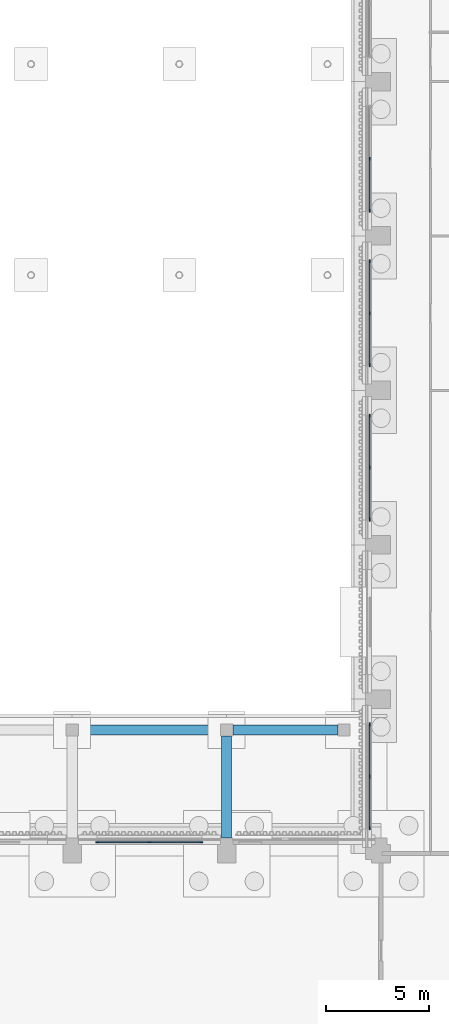
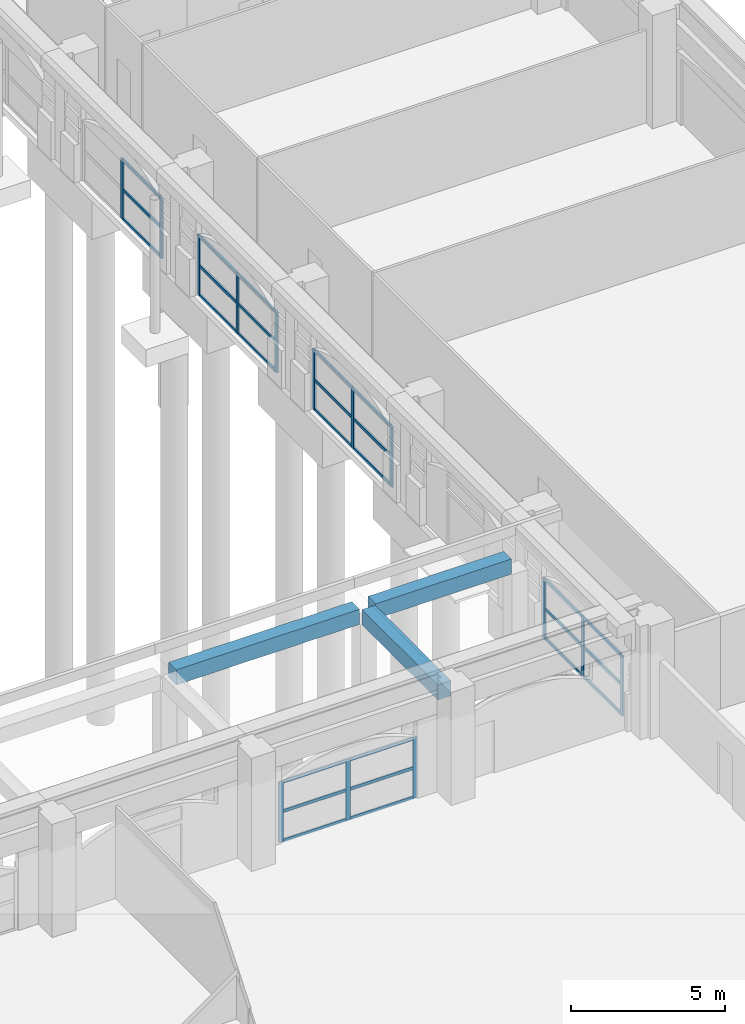
# One storey, part 27 of 99: 41 members, 3 beams, 5 elements without a shape of their own.
"""IFC4 building model written with IfcOpenShell, lengths in metres."""

from ifc_helpers import new_model, si_unit, direction, frame, origin, origin_2d, place, context, subcontext, project, spatial, rectangle, extrude, material, layer, layer_set, material_profile, profile_set, type_object, element, aggregate, save


model = new_model("IFC4")

# Units and contexts
model_context = context("Model", 3, precision=1e-05, world=origin(), true_north=direction((0.0, 1.0)))
body_context = subcontext(model_context, "Body", "Model", "MODEL_VIEW")
ifc_project = project(units=[si_unit("LENGTHUNIT", "METRE"), si_unit("AREAUNIT", "SQUARE_METRE"), si_unit("VOLUMEUNIT", "CUBIC_METRE"), si_unit("PLANEANGLEUNIT", "RADIAN"), si_unit("MASSUNIT", "GRAM", prefix="KILO")], contexts=[model_context])

# Site, building, storey
site_placement = place(None, origin())
site = spatial("IfcSite", under=ifc_project, at=site_placement, CompositionType="ELEMENT")
building_placement = place(site_placement, origin())
building = spatial("IfcBuilding", under=site, at=building_placement, Name="Cour d'Honneur Mobility Palace", CompositionType="ELEMENT")
storey_placement = place(building_placement, origin())
storey = spatial("IfcBuildingStorey", under=building, at=storey_placement, Name="L00", CompositionType="ELEMENT", Elevation=0.0)

# Beams
ifc_material_1 = material(Name="Concrete C50", Category="concrete")
ifc_material_profile_1 = material_profile(ifc_material_1, rectangle(XDim=0.5, YDim=0.60009765625, at=origin_2d()), Name="Arcade beam 500x600")
ifc_profile_set_1 = profile_set([ifc_material_profile_1], Name="Concrete C50")
beam_type = type_object("IfcBeamType", Name="Arcade beam 500x600", PredefinedType="BEAM", material=ifc_profile_set_1)
beam_1_placement = place(storey_placement, frame((130.199951171875, 68.39990234375, 3.699951171875), z_axis=(1.0, 0.0, 0.0), x_axis=(0.0, 1.0, 0.0)))
element("IfcBeam", 1, at=beam_1_placement, inside=storey, type_object=beam_type, Name="Arcade beam AB-LE5", PredefinedType="BEAM", context=body_context, shape_type="SweptSolid", body=[
    extrude(rectangle(XDim=0.5, YDim=0.60009765625, at=origin_2d()), origin(), (0.0, 0.0, 1.0), 6.900146484375),
])
beam_2_placement = place(storey_placement, frame((137.699951171875, 68.39990234375, 3.699951171875), z_axis=(1.0, 0.0, 0.0), x_axis=(0.0, 1.0, 0.0)))
element("IfcBeam", 2, at=beam_2_placement, inside=storey, type_object=beam_type, Name="Arcade beam AB-LE6", PredefinedType="BEAM", context=body_context, shape_type="SweptSolid", body=[
    extrude(rectangle(XDim=0.5, YDim=0.60009765625, at=origin_2d()), origin(), (0.0, 0.0, 1.0), 5.10009765625),
])
beam_3_placement = place(storey_placement, frame((137.39990234375, 63.14990234375, 3.699951171875), z_axis=(0.0, 1.0, 0.0), x_axis=(-1.0, 0.0, 0.0)))
element("IfcBeam", 3, at=beam_3_placement, inside=storey, type_object=beam_type, Name="Arcade beam AB-TE6", PredefinedType="BEAM", context=body_context, shape_type="SweptSolid", body=[
    extrude(rectangle(XDim=0.5, YDim=0.60009765625, at=origin_2d()), origin(), (0.0, 0.0, 1.0), 4.9501953125),
])

# Curtain wall, members
ifc_material_2 = material(Name="Aluminium and glass", Category="aluminium")
ifc_layer = layer(ifc_material_2, 0.10009765625)
ifc_layer_set = layer_set([ifc_layer], Name="Aluminium and glass")
curtain_wall_type = type_object("IfcCurtainWallType", Name="Curtain wall run", PredefinedType="NOTDEFINED", material=ifc_layer_set)
curtain_wall_1_placement = place(storey_placement, origin())
curtain_wall_1 = element("IfcCurtainWall", 4, at=curtain_wall_1_placement, inside=storey, type_object=curtain_wall_type, Name="Curtain wall CW-3", PredefinedType="NOTDEFINED")
ifc_material_3 = material(Name="Aluminium", Category="aluminium")
ifc_material_profile_2 = material_profile(ifc_material_3, rectangle(XDim=0.06005859375, YDim=0.159912109375, at=origin_2d()), Name="Curtain wall mullion")
ifc_profile_set_2 = profile_set([ifc_material_profile_2], Name="Aluminium")
member_type_1 = type_object("IfcMemberType", Name="Curtain wall mullion", PredefinedType="MULLION", material=ifc_profile_set_2)
member_1_placement = place(storey_placement, frame((144.35009765625, 96.14990234375, 0.0), z_axis=(0.0, 0.0, 1.0), x_axis=(1.0, 0.0, 0.0)))
member_1 = element("IfcMember", 5, at=member_1_placement, type_object=member_type_1, Name="CW-3 mullion 2", PredefinedType="MULLION", context=body_context, shape_type="SweptSolid", body=[
    extrude(rectangle(XDim=0.06005859375, YDim=0.159912109375, at=origin_2d()), origin(), (0.0, 0.0, 1.0), 2.39990234375),
])
member_2_placement = place(storey_placement, frame((144.35009765625, 93.6298828125, 0.0), z_axis=(0.0, 0.0, 1.0), x_axis=(1.0, 0.0, 0.0)))
member_2 = element("IfcMember", 6, at=member_2_placement, type_object=member_type_1, Name="CW-3 mullion 3", PredefinedType="MULLION", context=body_context, shape_type="SweptSolid", body=[
    extrude(rectangle(XDim=0.06005859375, YDim=0.159912109375, at=origin_2d()), origin(), (0.0, 0.0, 1.0), 2.39990234375),
])

curtain_wall_2_placement = place(storey_placement, origin())
curtain_wall_2 = element("IfcCurtainWall", 7, at=curtain_wall_2_placement, inside=storey, type_object=curtain_wall_type, Name="Curtain wall CW-4", PredefinedType="NOTDEFINED")
member_3_placement = place(storey_placement, frame((144.35009765625, 91.169921875, 0.0), z_axis=(0.0, 0.0, 1.0), x_axis=(1.0, 0.0, 0.0)))
member_3 = element("IfcMember", 8, at=member_3_placement, type_object=member_type_1, Name="CW-4 mullion 1", PredefinedType="MULLION", context=body_context, shape_type="SweptSolid", body=[
    extrude(rectangle(XDim=0.06005859375, YDim=0.159912109375, at=origin_2d()), origin(), (0.0, 0.0, 1.0), 2.39990234375),
])
member_4_placement = place(storey_placement, frame((144.35009765625, 88.64990234375, 0.0), z_axis=(0.0, 0.0, 1.0), x_axis=(1.0, 0.0, 0.0)))
member_4 = element("IfcMember", 9, at=member_4_placement, type_object=member_type_1, Name="CW-4 mullion 2", PredefinedType="MULLION", context=body_context, shape_type="SweptSolid", body=[
    extrude(rectangle(XDim=0.06005859375, YDim=0.159912109375, at=origin_2d()), origin(), (0.0, 0.0, 1.0), 2.39990234375),
])
member_5_placement = place(storey_placement, frame((144.35009765625, 86.1298828125, 0.0), z_axis=(0.0, 0.0, 1.0), x_axis=(1.0, 0.0, 0.0)))
member_5 = element("IfcMember", 10, at=member_5_placement, type_object=member_type_1, Name="CW-4 mullion 3", PredefinedType="MULLION", context=body_context, shape_type="SweptSolid", body=[
    extrude(rectangle(XDim=0.06005859375, YDim=0.159912109375, at=origin_2d()), origin(), (0.0, 0.0, 1.0), 2.39990234375),
])

curtain_wall_3_placement = place(storey_placement, origin())
curtain_wall_3 = element("IfcCurtainWall", 11, at=curtain_wall_3_placement, inside=storey, type_object=curtain_wall_type, Name="Curtain wall CW-5", PredefinedType="NOTDEFINED")
member_6_placement = place(storey_placement, frame((144.35009765625, 83.669921875, 0.0), z_axis=(0.0, 0.0, 1.0), x_axis=(1.0, 0.0, 0.0)))
member_6 = element("IfcMember", 12, at=member_6_placement, type_object=member_type_1, Name="CW-5 mullion 1", PredefinedType="MULLION", context=body_context, shape_type="SweptSolid", body=[
    extrude(rectangle(XDim=0.06005859375, YDim=0.159912109375, at=origin_2d()), origin(), (0.0, 0.0, 1.0), 2.39990234375),
])
member_7_placement = place(storey_placement, frame((144.35009765625, 81.14990234375, 0.0), z_axis=(0.0, 0.0, 1.0), x_axis=(1.0, 0.0, 0.0)))
member_7 = element("IfcMember", 13, at=member_7_placement, type_object=member_type_1, Name="CW-5 mullion 2", PredefinedType="MULLION", context=body_context, shape_type="SweptSolid", body=[
    extrude(rectangle(XDim=0.06005859375, YDim=0.159912109375, at=origin_2d()), origin(), (0.0, 0.0, 1.0), 2.39990234375),
])
member_8_placement = place(storey_placement, frame((144.35009765625, 78.6298828125, 0.0), z_axis=(0.0, 0.0, 1.0), x_axis=(1.0, 0.0, 0.0)))
member_8 = element("IfcMember", 14, at=member_8_placement, type_object=member_type_1, Name="CW-5 mullion 3", PredefinedType="MULLION", context=body_context, shape_type="SweptSolid", body=[
    extrude(rectangle(XDim=0.06005859375, YDim=0.159912109375, at=origin_2d()), origin(), (0.0, 0.0, 1.0), 2.39990234375),
])

curtain_wall_4_placement = place(storey_placement, origin())
curtain_wall_4 = element("IfcCurtainWall", 15, at=curtain_wall_4_placement, inside=storey, type_object=curtain_wall_type, Name="Curtain wall CW-6", PredefinedType="NOTDEFINED")
member_9_placement = place(storey_placement, frame((144.35009765625, 68.669921875, 0.0), z_axis=(0.0, 0.0, 1.0), x_axis=(1.0, 0.0, 0.0)))
member_9 = element("IfcMember", 16, at=member_9_placement, type_object=member_type_1, Name="CW-6 mullion 1", PredefinedType="MULLION", context=body_context, shape_type="SweptSolid", body=[
    extrude(rectangle(XDim=0.06005859375, YDim=0.159912109375, at=origin_2d()), origin(), (0.0, 0.0, 1.0), 2.39990234375),
])
member_10_placement = place(storey_placement, frame((144.35009765625, 66.14990234375, 0.0), z_axis=(0.0, 0.0, 1.0), x_axis=(1.0, 0.0, 0.0)))
member_10 = element("IfcMember", 17, at=member_10_placement, type_object=member_type_1, Name="CW-6 mullion 2", PredefinedType="MULLION", context=body_context, shape_type="SweptSolid", body=[
    extrude(rectangle(XDim=0.06005859375, YDim=0.159912109375, at=origin_2d()), origin(), (0.0, 0.0, 1.0), 2.39990234375),
])
member_11_placement = place(storey_placement, frame((144.35009765625, 63.6298828125, 0.0), z_axis=(0.0, 0.0, 1.0), x_axis=(1.0, 0.0, 0.0)))
member_11 = element("IfcMember", 18, at=member_11_placement, type_object=member_type_1, Name="CW-6 mullion 3", PredefinedType="MULLION", context=body_context, shape_type="SweptSolid", body=[
    extrude(rectangle(XDim=0.06005859375, YDim=0.159912109375, at=origin_2d()), origin(), (0.0, 0.0, 1.0), 2.39990234375),
])

curtain_wall_5_placement = place(storey_placement, origin())
curtain_wall_5 = element("IfcCurtainWall", 19, at=curtain_wall_5_placement, inside=storey, type_object=curtain_wall_type, Name="Curtain wall CW-7", PredefinedType="NOTDEFINED")
member_12_placement = place(storey_placement, frame((136.169921875, 62.949951171875, 0.0), z_axis=(0.0, 0.0, 1.0), x_axis=(0.0, -1.0, 0.0)))
member_12 = element("IfcMember", 20, at=member_12_placement, type_object=member_type_1, Name="CW-7 mullion 1", PredefinedType="MULLION", context=body_context, shape_type="SweptSolid", body=[
    extrude(rectangle(XDim=0.06005859375, YDim=0.159912109375, at=origin_2d()), origin(), (0.0, 0.0, 1.0), 2.39990234375),
])
member_13_placement = place(storey_placement, frame((133.64990234375, 62.949951171875, 0.0), z_axis=(0.0, 0.0, 1.0), x_axis=(0.0, -1.0, 0.0)))
member_13 = element("IfcMember", 21, at=member_13_placement, type_object=member_type_1, Name="CW-7 mullion 2", PredefinedType="MULLION", context=body_context, shape_type="SweptSolid", body=[
    extrude(rectangle(XDim=0.06005859375, YDim=0.159912109375, at=origin_2d()), origin(), (0.0, 0.0, 1.0), 2.39990234375),
])
member_14_placement = place(storey_placement, frame((131.1298828125, 62.949951171875, 0.0), z_axis=(0.0, 0.0, 1.0), x_axis=(0.0, -1.0, 0.0)))
member_14 = element("IfcMember", 22, at=member_14_placement, type_object=member_type_1, Name="CW-7 mullion 3", PredefinedType="MULLION", context=body_context, shape_type="SweptSolid", body=[
    extrude(rectangle(XDim=0.06005859375, YDim=0.159912109375, at=origin_2d()), origin(), (0.0, 0.0, 1.0), 2.39990234375),
])

# Member
ifc_material_4 = material(Name="Aluminium", Category="aluminium")
ifc_material_profile_3 = material_profile(ifc_material_4, rectangle(XDim=0.06005859375, YDim=0.1201171875, at=origin_2d()), Name="Curtain wall transom")
ifc_profile_set_3 = profile_set([ifc_material_profile_3], Name="Aluminium")
member_type_2 = type_object("IfcMemberType", Name="Curtain wall transom", PredefinedType="USERDEFINED", material=ifc_profile_set_3)
member_15_placement = place(storey_placement, frame((144.35009765625, 96.1201171875, 0.030029296875), z_axis=(0.0, -1.0, 0.0), x_axis=(1.0, 0.0, 0.0)))
member_15 = element("IfcMember", 23, at=member_15_placement, type_object=member_type_2, Name="CW-3 transom 2.1", ObjectType="TRANSOM", PredefinedType="USERDEFINED", context=body_context, shape_type="SweptSolid", body=[
    extrude(rectangle(XDim=0.06005859375, YDim=0.1201171875, at=origin_2d()), origin(), (0.0, 0.0, 1.0), 2.460205078125),
])

member_16_placement = place(storey_placement, frame((144.35009765625, 96.1201171875, 1.199951171875), z_axis=(0.0, -1.0, 0.0), x_axis=(1.0, 0.0, 0.0)))
member_16 = element("IfcMember", 24, at=member_16_placement, type_object=member_type_2, Name="CW-3 transom 2.2", ObjectType="TRANSOM", PredefinedType="USERDEFINED", context=body_context, shape_type="SweptSolid", body=[
    extrude(rectangle(XDim=0.06005859375, YDim=0.1201171875, at=origin_2d()), origin(), (0.0, 0.0, 1.0), 2.460205078125),
])

member_17_placement = place(storey_placement, frame((144.35009765625, 96.1201171875, 2.3701171875), z_axis=(0.0, -1.0, 0.0), x_axis=(1.0, 0.0, 0.0)))
member_17 = element("IfcMember", 25, at=member_17_placement, type_object=member_type_2, Name="CW-3 transom 2.3", ObjectType="TRANSOM", PredefinedType="USERDEFINED", context=body_context, shape_type="SweptSolid", body=[
    extrude(rectangle(XDim=0.06005859375, YDim=0.1201171875, at=origin_2d()), origin(), (0.0, 0.0, 1.0), 2.460205078125),
])

aggregate(curtain_wall_1, [member_1, member_2, member_15, member_16, member_17])

member_18_placement = place(storey_placement, frame((144.35009765625, 91.139892578125, 0.030029296875), z_axis=(0.0, -1.0, 0.0), x_axis=(1.0, 0.0, 0.0)))
member_18 = element("IfcMember", 26, at=member_18_placement, type_object=member_type_2, Name="CW-4 transom 1.1", ObjectType="TRANSOM", PredefinedType="USERDEFINED", context=body_context, shape_type="SweptSolid", body=[
    extrude(rectangle(XDim=0.06005859375, YDim=0.1201171875, at=origin_2d()), origin(), (0.0, 0.0, 1.0), 2.4599609375),
])

member_19_placement = place(storey_placement, frame((144.35009765625, 91.139892578125, 1.199951171875), z_axis=(0.0, -1.0, 0.0), x_axis=(1.0, 0.0, 0.0)))
member_19 = element("IfcMember", 27, at=member_19_placement, type_object=member_type_2, Name="CW-4 transom 1.2", ObjectType="TRANSOM", PredefinedType="USERDEFINED", context=body_context, shape_type="SweptSolid", body=[
    extrude(rectangle(XDim=0.06005859375, YDim=0.1201171875, at=origin_2d()), origin(), (0.0, 0.0, 1.0), 2.4599609375),
])

member_20_placement = place(storey_placement, frame((144.35009765625, 91.139892578125, 2.3701171875), z_axis=(0.0, -1.0, 0.0), x_axis=(1.0, 0.0, 0.0)))
member_20 = element("IfcMember", 28, at=member_20_placement, type_object=member_type_2, Name="CW-4 transom 1.3", ObjectType="TRANSOM", PredefinedType="USERDEFINED", context=body_context, shape_type="SweptSolid", body=[
    extrude(rectangle(XDim=0.06005859375, YDim=0.1201171875, at=origin_2d()), origin(), (0.0, 0.0, 1.0), 2.4599609375),
])

member_21_placement = place(storey_placement, frame((144.35009765625, 88.6201171875, 0.030029296875), z_axis=(0.0, -1.0, 0.0), x_axis=(1.0, 0.0, 0.0)))
member_21 = element("IfcMember", 29, at=member_21_placement, type_object=member_type_2, Name="CW-4 transom 2.1", ObjectType="TRANSOM", PredefinedType="USERDEFINED", context=body_context, shape_type="SweptSolid", body=[
    extrude(rectangle(XDim=0.06005859375, YDim=0.1201171875, at=origin_2d()), origin(), (0.0, 0.0, 1.0), 2.460205078125),
])

member_22_placement = place(storey_placement, frame((144.35009765625, 88.6201171875, 1.199951171875), z_axis=(0.0, -1.0, 0.0), x_axis=(1.0, 0.0, 0.0)))
member_22 = element("IfcMember", 30, at=member_22_placement, type_object=member_type_2, Name="CW-4 transom 2.2", ObjectType="TRANSOM", PredefinedType="USERDEFINED", context=body_context, shape_type="SweptSolid", body=[
    extrude(rectangle(XDim=0.06005859375, YDim=0.1201171875, at=origin_2d()), origin(), (0.0, 0.0, 1.0), 2.460205078125),
])

member_23_placement = place(storey_placement, frame((144.35009765625, 88.6201171875, 2.3701171875), z_axis=(0.0, -1.0, 0.0), x_axis=(1.0, 0.0, 0.0)))
member_23 = element("IfcMember", 31, at=member_23_placement, type_object=member_type_2, Name="CW-4 transom 2.3", ObjectType="TRANSOM", PredefinedType="USERDEFINED", context=body_context, shape_type="SweptSolid", body=[
    extrude(rectangle(XDim=0.06005859375, YDim=0.1201171875, at=origin_2d()), origin(), (0.0, 0.0, 1.0), 2.460205078125),
])

aggregate(curtain_wall_2, [member_3, member_4, member_5, member_18, member_19, member_20, member_21, member_22, member_23])

member_24_placement = place(storey_placement, frame((144.35009765625, 83.639892578125, 0.030029296875), z_axis=(0.0, -1.0, 0.0), x_axis=(1.0, 0.0, 0.0)))
member_24 = element("IfcMember", 32, at=member_24_placement, type_object=member_type_2, Name="CW-5 transom 1.1", ObjectType="TRANSOM", PredefinedType="USERDEFINED", context=body_context, shape_type="SweptSolid", body=[
    extrude(rectangle(XDim=0.06005859375, YDim=0.1201171875, at=origin_2d()), origin(), (0.0, 0.0, 1.0), 2.4599609375),
])

member_25_placement = place(storey_placement, frame((144.35009765625, 83.639892578125, 1.199951171875), z_axis=(0.0, -1.0, 0.0), x_axis=(1.0, 0.0, 0.0)))
member_25 = element("IfcMember", 33, at=member_25_placement, type_object=member_type_2, Name="CW-5 transom 1.2", ObjectType="TRANSOM", PredefinedType="USERDEFINED", context=body_context, shape_type="SweptSolid", body=[
    extrude(rectangle(XDim=0.06005859375, YDim=0.1201171875, at=origin_2d()), origin(), (0.0, 0.0, 1.0), 2.4599609375),
])

member_26_placement = place(storey_placement, frame((144.35009765625, 83.639892578125, 2.3701171875), z_axis=(0.0, -1.0, 0.0), x_axis=(1.0, 0.0, 0.0)))
member_26 = element("IfcMember", 34, at=member_26_placement, type_object=member_type_2, Name="CW-5 transom 1.3", ObjectType="TRANSOM", PredefinedType="USERDEFINED", context=body_context, shape_type="SweptSolid", body=[
    extrude(rectangle(XDim=0.06005859375, YDim=0.1201171875, at=origin_2d()), origin(), (0.0, 0.0, 1.0), 2.4599609375),
])

member_27_placement = place(storey_placement, frame((144.35009765625, 81.1201171875, 0.030029296875), z_axis=(0.0, -1.0, 0.0), x_axis=(1.0, 0.0, 0.0)))
member_27 = element("IfcMember", 35, at=member_27_placement, type_object=member_type_2, Name="CW-5 transom 2.1", ObjectType="TRANSOM", PredefinedType="USERDEFINED", context=body_context, shape_type="SweptSolid", body=[
    extrude(rectangle(XDim=0.06005859375, YDim=0.1201171875, at=origin_2d()), origin(), (0.0, 0.0, 1.0), 2.460205078125),
])

member_28_placement = place(storey_placement, frame((144.35009765625, 81.1201171875, 1.199951171875), z_axis=(0.0, -1.0, 0.0), x_axis=(1.0, 0.0, 0.0)))
member_28 = element("IfcMember", 36, at=member_28_placement, type_object=member_type_2, Name="CW-5 transom 2.2", ObjectType="TRANSOM", PredefinedType="USERDEFINED", context=body_context, shape_type="SweptSolid", body=[
    extrude(rectangle(XDim=0.06005859375, YDim=0.1201171875, at=origin_2d()), origin(), (0.0, 0.0, 1.0), 2.460205078125),
])

member_29_placement = place(storey_placement, frame((144.35009765625, 81.1201171875, 2.3701171875), z_axis=(0.0, -1.0, 0.0), x_axis=(1.0, 0.0, 0.0)))
member_29 = element("IfcMember", 37, at=member_29_placement, type_object=member_type_2, Name="CW-5 transom 2.3", ObjectType="TRANSOM", PredefinedType="USERDEFINED", context=body_context, shape_type="SweptSolid", body=[
    extrude(rectangle(XDim=0.06005859375, YDim=0.1201171875, at=origin_2d()), origin(), (0.0, 0.0, 1.0), 2.460205078125),
])

aggregate(curtain_wall_3, [member_6, member_7, member_8, member_24, member_25, member_26, member_27, member_28, member_29])

member_30_placement = place(storey_placement, frame((144.35009765625, 68.639892578125, 0.030029296875), z_axis=(0.0, -1.0, 0.0), x_axis=(1.0, 0.0, 0.0)))
member_30 = element("IfcMember", 38, at=member_30_placement, type_object=member_type_2, Name="CW-6 transom 1.1", ObjectType="TRANSOM", PredefinedType="USERDEFINED", context=body_context, shape_type="SweptSolid", body=[
    extrude(rectangle(XDim=0.06005859375, YDim=0.1201171875, at=origin_2d()), origin(), (0.0, 0.0, 1.0), 2.4599609375),
])

member_31_placement = place(storey_placement, frame((144.35009765625, 68.639892578125, 1.199951171875), z_axis=(0.0, -1.0, 0.0), x_axis=(1.0, 0.0, 0.0)))
member_31 = element("IfcMember", 39, at=member_31_placement, type_object=member_type_2, Name="CW-6 transom 1.2", ObjectType="TRANSOM", PredefinedType="USERDEFINED", context=body_context, shape_type="SweptSolid", body=[
    extrude(rectangle(XDim=0.06005859375, YDim=0.1201171875, at=origin_2d()), origin(), (0.0, 0.0, 1.0), 2.4599609375),
])

member_32_placement = place(storey_placement, frame((144.35009765625, 68.639892578125, 2.3701171875), z_axis=(0.0, -1.0, 0.0), x_axis=(1.0, 0.0, 0.0)))
member_32 = element("IfcMember", 40, at=member_32_placement, type_object=member_type_2, Name="CW-6 transom 1.3", ObjectType="TRANSOM", PredefinedType="USERDEFINED", context=body_context, shape_type="SweptSolid", body=[
    extrude(rectangle(XDim=0.06005859375, YDim=0.1201171875, at=origin_2d()), origin(), (0.0, 0.0, 1.0), 2.4599609375),
])

member_33_placement = place(storey_placement, frame((144.35009765625, 66.1201171875, 0.030029296875), z_axis=(0.0, -1.0, 0.0), x_axis=(1.0, 0.0, 0.0)))
member_33 = element("IfcMember", 41, at=member_33_placement, type_object=member_type_2, Name="CW-6 transom 2.1", ObjectType="TRANSOM", PredefinedType="USERDEFINED", context=body_context, shape_type="SweptSolid", body=[
    extrude(rectangle(XDim=0.06005859375, YDim=0.1201171875, at=origin_2d()), origin(), (0.0, 0.0, 1.0), 2.460205078125),
])

member_34_placement = place(storey_placement, frame((144.35009765625, 66.1201171875, 1.199951171875), z_axis=(0.0, -1.0, 0.0), x_axis=(1.0, 0.0, 0.0)))
member_34 = element("IfcMember", 42, at=member_34_placement, type_object=member_type_2, Name="CW-6 transom 2.2", ObjectType="TRANSOM", PredefinedType="USERDEFINED", context=body_context, shape_type="SweptSolid", body=[
    extrude(rectangle(XDim=0.06005859375, YDim=0.1201171875, at=origin_2d()), origin(), (0.0, 0.0, 1.0), 2.460205078125),
])

member_35_placement = place(storey_placement, frame((144.35009765625, 66.1201171875, 2.3701171875), z_axis=(0.0, -1.0, 0.0), x_axis=(1.0, 0.0, 0.0)))
member_35 = element("IfcMember", 43, at=member_35_placement, type_object=member_type_2, Name="CW-6 transom 2.3", ObjectType="TRANSOM", PredefinedType="USERDEFINED", context=body_context, shape_type="SweptSolid", body=[
    extrude(rectangle(XDim=0.06005859375, YDim=0.1201171875, at=origin_2d()), origin(), (0.0, 0.0, 1.0), 2.460205078125),
])

aggregate(curtain_wall_4, [member_9, member_10, member_11, member_30, member_31, member_32, member_33, member_34, member_35])

member_36_placement = place(storey_placement, frame((136.139892578125, 62.949951171875, 0.030029296875), z_axis=(-1.0, 0.0, 0.0), x_axis=(0.0, -1.0, 0.0)))
member_36 = element("IfcMember", 44, at=member_36_placement, type_object=member_type_2, Name="CW-7 transom 1.1", ObjectType="TRANSOM", PredefinedType="USERDEFINED", context=body_context, shape_type="SweptSolid", body=[
    extrude(rectangle(XDim=0.06005859375, YDim=0.1201171875, at=origin_2d()), origin(), (0.0, 0.0, 1.0), 2.4599609375),
])

member_37_placement = place(storey_placement, frame((136.139892578125, 62.949951171875, 1.199951171875), z_axis=(-1.0, 0.0, 0.0), x_axis=(0.0, -1.0, 0.0)))
member_37 = element("IfcMember", 45, at=member_37_placement, type_object=member_type_2, Name="CW-7 transom 1.2", ObjectType="TRANSOM", PredefinedType="USERDEFINED", context=body_context, shape_type="SweptSolid", body=[
    extrude(rectangle(XDim=0.06005859375, YDim=0.1201171875, at=origin_2d()), origin(), (0.0, 0.0, 1.0), 2.4599609375),
])

member_38_placement = place(storey_placement, frame((136.139892578125, 62.949951171875, 2.3701171875), z_axis=(-1.0, 0.0, 0.0), x_axis=(0.0, -1.0, 0.0)))
member_38 = element("IfcMember", 46, at=member_38_placement, type_object=member_type_2, Name="CW-7 transom 1.3", ObjectType="TRANSOM", PredefinedType="USERDEFINED", context=body_context, shape_type="SweptSolid", body=[
    extrude(rectangle(XDim=0.06005859375, YDim=0.1201171875, at=origin_2d()), origin(), (0.0, 0.0, 1.0), 2.4599609375),
])

member_39_placement = place(storey_placement, frame((133.6201171875, 62.949951171875, 0.030029296875), z_axis=(-1.0, 0.0, 0.0), x_axis=(0.0, -1.0, 0.0)))
member_39 = element("IfcMember", 47, at=member_39_placement, type_object=member_type_2, Name="CW-7 transom 2.1", ObjectType="TRANSOM", PredefinedType="USERDEFINED", context=body_context, shape_type="SweptSolid", body=[
    extrude(rectangle(XDim=0.06005859375, YDim=0.1201171875, at=origin_2d()), origin(), (0.0, 0.0, 1.0), 2.460205078125),
])

member_40_placement = place(storey_placement, frame((133.6201171875, 62.949951171875, 1.199951171875), z_axis=(-1.0, 0.0, 0.0), x_axis=(0.0, -1.0, 0.0)))
member_40 = element("IfcMember", 48, at=member_40_placement, type_object=member_type_2, Name="CW-7 transom 2.2", ObjectType="TRANSOM", PredefinedType="USERDEFINED", context=body_context, shape_type="SweptSolid", body=[
    extrude(rectangle(XDim=0.06005859375, YDim=0.1201171875, at=origin_2d()), origin(), (0.0, 0.0, 1.0), 2.460205078125),
])

member_41_placement = place(storey_placement, frame((133.6201171875, 62.949951171875, 2.3701171875), z_axis=(-1.0, 0.0, 0.0), x_axis=(0.0, -1.0, 0.0)))
member_41 = element("IfcMember", 49, at=member_41_placement, type_object=member_type_2, Name="CW-7 transom 2.3", ObjectType="TRANSOM", PredefinedType="USERDEFINED", context=body_context, shape_type="SweptSolid", body=[
    extrude(rectangle(XDim=0.06005859375, YDim=0.1201171875, at=origin_2d()), origin(), (0.0, 0.0, 1.0), 2.460205078125),
])

aggregate(curtain_wall_5, [member_12, member_13, member_14, member_36, member_37, member_38, member_39, member_40, member_41])

save(model, "model.ifc")
